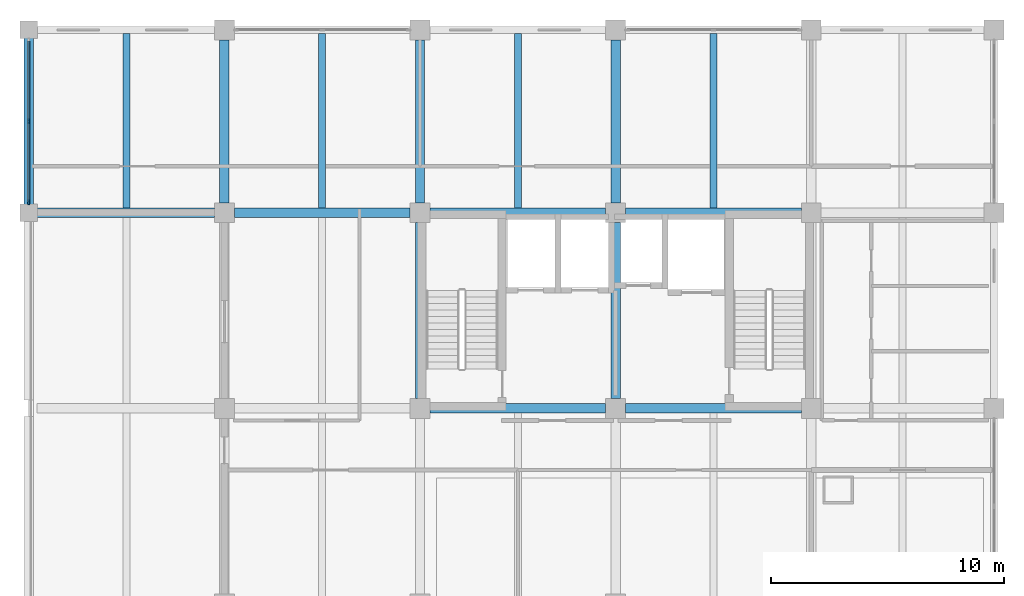
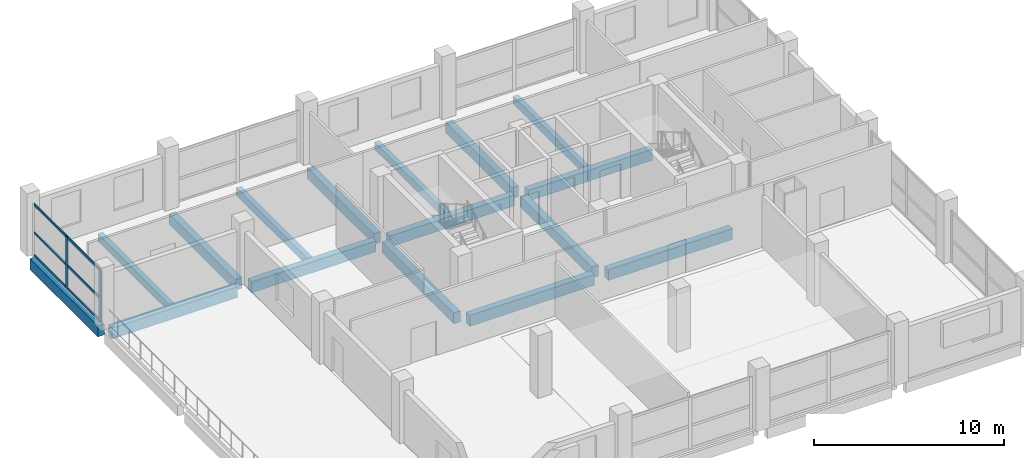
# One storey, part 3 of 10: 16 beams, 8 members, 1 element without a shape of its own.
"""IFC4 building model written with IfcOpenShell, lengths in metres."""

from ifc_helpers import new_model, si_unit, direction, frame, origin, origin_2d, place, context, subcontext, project, spatial, rectangle, extrude, material, material_profile, profile_set, type_object, element, aggregate, save


model = new_model("IFC4")

# Units and contexts
model_context = context("Model", 3, precision=1e-05, world=origin(), true_north=direction((0.0, 1.0)))
body_context = subcontext(model_context, "Body", "Model", "MODEL_VIEW")
ifc_project = project(units=[si_unit("LENGTHUNIT", "METRE"), si_unit("AREAUNIT", "SQUARE_METRE"), si_unit("VOLUMEUNIT", "CUBIC_METRE"), si_unit("PLANEANGLEUNIT", "RADIAN"), si_unit("MASSUNIT", "GRAM", prefix="KILO")], contexts=[model_context])

# Site, building, storey
site_placement = place(None, origin())
site = spatial("IfcSite", under=ifc_project, at=site_placement, CompositionType="ELEMENT")
building_placement = place(site_placement, origin())
building = spatial("IfcBuilding", under=site, at=building_placement, Name="Brinegate Botanical Conservatory", CompositionType="ELEMENT")
storey_placement = place(building_placement, frame((0.0, 0.0, 27.60009765625)))
storey = spatial("IfcBuildingStorey", under=building, at=storey_placement, Name="L07", CompositionType="ELEMENT", Elevation=27.60009765625)

# Beams
ifc_material_1 = material(Name="Concrete C40/50", Category="concrete")
ifc_material_profile_1 = material_profile(ifc_material_1, rectangle(XDim=0.39990234375, YDim=0.699951171875, at=origin_2d()), Name="RC BM 400x700")
ifc_profile_set_1 = profile_set([ifc_material_profile_1], Name="Concrete C40/50")
beam_type_1 = type_object("IfcBeamType", Name="Beam_BM-T2", PredefinedType="BEAM", material=ifc_profile_set_1)
beam_1_placement = place(storey_placement, frame((139.22509765625, 95.199951171875, -0.550048828125), z_axis=(1.0, 0.0, 0.0), x_axis=(0.0, 1.0, 0.0)))
element("IfcBeam", 1, at=beam_1_placement, inside=storey, type_object=beam_type_1, Name="Beam BM-T2 L07 M:18-19", PredefinedType="BEAM", context=body_context, shape_type="SweptSolid", body=[
    extrude(rectangle(XDim=0.39990234375, YDim=0.699951171875, at=origin_2d()), origin(), (0.0, 0.0, 1.0), 7.5498046875),
])
beam_2_placement = place(storey_placement, frame((147.625, 95.199951171875, -0.550048828125), z_axis=(1.0, 0.0, 0.0), x_axis=(0.0, 1.0, 0.0)))
element("IfcBeam", 2, at=beam_2_placement, inside=storey, type_object=beam_type_1, Name="Beam BM-T2 L07 M:19-20", PredefinedType="BEAM", context=body_context, shape_type="SweptSolid", body=[
    extrude(rectangle(XDim=0.39990234375, YDim=0.699951171875, at=origin_2d()), origin(), (0.0, 0.0, 1.0), 7.550048828125),
])
beam_3_placement = place(storey_placement, frame((122.35009765625, 103.60009765625, -0.550048828125), z_axis=(1.0, 0.0, 0.0), x_axis=(0.0, 1.0, 0.0)))
element("IfcBeam", 3, at=beam_3_placement, inside=storey, type_object=beam_type_1, Name="Beam BM-T2 L07 N:16-17", PredefinedType="BEAM", context=body_context, shape_type="SweptSolid", body=[
    extrude(rectangle(XDim=0.39990234375, YDim=0.699951171875, at=origin_2d()), origin(), (0.0, 0.0, 1.0), 7.625),
])
beam_4_placement = place(storey_placement, frame((130.824951171875, 103.60009765625, -0.550048828125), z_axis=(1.0, 0.0, 0.0), x_axis=(0.0, 1.0, 0.0)))
element("IfcBeam", 4, at=beam_4_placement, inside=storey, type_object=beam_type_1, Name="Beam BM-T2 L07 N:17-18", PredefinedType="BEAM", context=body_context, shape_type="SweptSolid", body=[
    extrude(rectangle(XDim=0.39990234375, YDim=0.699951171875, at=origin_2d()), origin(), (0.0, 0.0, 1.0), 7.550048828125),
])
beam_5_placement = place(storey_placement, frame((139.22509765625, 103.60009765625, -0.550048828125), z_axis=(1.0, 0.0, 0.0), x_axis=(0.0, 1.0, 0.0)))
element("IfcBeam", 5, at=beam_5_placement, inside=storey, type_object=beam_type_1, Name="Beam BM-T2 L07 N:18-19", PredefinedType="BEAM", context=body_context, shape_type="SweptSolid", body=[
    extrude(rectangle(XDim=0.39990234375, YDim=0.699951171875, at=origin_2d()), origin(), (0.0, 0.0, 1.0), 7.5498046875),
])
beam_6_placement = place(storey_placement, frame((147.625, 103.60009765625, -0.550048828125), z_axis=(1.0, 0.0, 0.0), x_axis=(0.0, 1.0, 0.0)))
element("IfcBeam", 6, at=beam_6_placement, inside=storey, type_object=beam_type_1, Name="Beam BM-T2 L07 N:19-20", PredefinedType="BEAM", context=body_context, shape_type="SweptSolid", body=[
    extrude(rectangle(XDim=0.39990234375, YDim=0.699951171875, at=origin_2d()), origin(), (0.0, 0.0, 1.0), 7.550048828125),
])
beam_7_placement = place(storey_placement, frame((122.0, 103.949951171875, -0.550048828125), z_axis=(0.0, 1.0, 0.0), x_axis=(-1.0, 0.0, 0.0)))
element("IfcBeam", 7, at=beam_7_placement, inside=storey, type_object=beam_type_1, Name="Beam BM-T2 L07 16:N-P", PredefinedType="BEAM", context=body_context, shape_type="SweptSolid", body=[
    extrude(rectangle(XDim=0.39990234375, YDim=0.699951171875, at=origin_2d()), origin(), (0.0, 0.0, 1.0), 7.150146484375),
])
beam_8_placement = place(storey_placement, frame((130.39990234375, 104.02490234375, -0.550048828125), z_axis=(0.0, 1.0, 0.0), x_axis=(-1.0, 0.0, 0.0)))
element("IfcBeam", 8, at=beam_8_placement, inside=storey, type_object=beam_type_1, Name="Beam BM-T2 L07 17:N-P", PredefinedType="BEAM", context=body_context, shape_type="SweptSolid", body=[
    extrude(rectangle(XDim=0.39990234375, YDim=0.699951171875, at=origin_2d()), origin(), (0.0, 0.0, 1.0), 7.0),
])
beam_9_placement = place(storey_placement, frame((138.800048828125, 95.625, -0.550048828125), z_axis=(0.0, 1.0, 0.0), x_axis=(-1.0, 0.0, 0.0)))
element("IfcBeam", 9, at=beam_9_placement, inside=storey, type_object=beam_type_1, Name="Beam BM-T2 L07 18:M-N", PredefinedType="BEAM", context=body_context, shape_type="SweptSolid", body=[
    extrude(rectangle(XDim=0.39990234375, YDim=0.699951171875, at=origin_2d()), origin(), (0.0, 0.0, 1.0), 7.550048828125),
])
beam_10_placement = place(storey_placement, frame((138.800048828125, 104.02490234375, -0.550048828125), z_axis=(0.0, 1.0, 0.0), x_axis=(-1.0, 0.0, 0.0)))
element("IfcBeam", 10, at=beam_10_placement, inside=storey, type_object=beam_type_1, Name="Beam BM-T2 L07 18:N-P", PredefinedType="BEAM", context=body_context, shape_type="SweptSolid", body=[
    extrude(rectangle(XDim=0.39990234375, YDim=0.699951171875, at=origin_2d()), origin(), (0.0, 0.0, 1.0), 7.0),
])
beam_11_placement = place(storey_placement, frame((147.199951171875, 95.625, -0.550048828125), z_axis=(0.0, 1.0, 0.0), x_axis=(-1.0, 0.0, 0.0)))
element("IfcBeam", 11, at=beam_11_placement, inside=storey, type_object=beam_type_1, Name="Beam BM-T2 L07 19:M-N", PredefinedType="BEAM", context=body_context, shape_type="SweptSolid", body=[
    extrude(rectangle(XDim=0.39990234375, YDim=0.699951171875, at=origin_2d()), origin(), (0.0, 0.0, 1.0), 7.550048828125),
])
beam_12_placement = place(storey_placement, frame((147.199951171875, 104.02490234375, -0.550048828125), z_axis=(0.0, 1.0, 0.0), x_axis=(-1.0, 0.0, 0.0)))
element("IfcBeam", 12, at=beam_12_placement, inside=storey, type_object=beam_type_1, Name="Beam BM-T2 L07 19:N-P", PredefinedType="BEAM", context=body_context, shape_type="SweptSolid", body=[
    extrude(rectangle(XDim=0.39990234375, YDim=0.699951171875, at=origin_2d()), origin(), (0.0, 0.0, 1.0), 7.0),
])
ifc_material_profile_2 = material_profile(ifc_material_1, rectangle(XDim=0.300048828125, YDim=0.5, at=origin_2d()), Name="RC JST 300x500")
ifc_profile_set_2 = profile_set([ifc_material_profile_2], Name="Concrete C40/50")
beam_type_2 = type_object("IfcBeamType", Name="Beam_JS-C2", PredefinedType="JOIST", material=ifc_profile_set_2)
for number, where, z_axis, x_axis, name in (
    (13, (126.199951171875, 103.800048828125, -0.4501953125), (0.0, 1.0, 0.0), (-1.0, 0.0, 0.0), "Floor joist JS-C2 L07 bay 16.13"),
    (14, (134.60009765625, 103.800048828125, -0.4501953125), (0.0, 1.0, 0.0), (-1.0, 0.0, 0.0), "Floor joist JS-C2 L07 bay 17.13"),
    (15, (143.0, 103.800048828125, -0.4501953125), (0.0, 1.0, 0.0), (-1.0, 0.0, 0.0), "Floor joist JS-C2 L07 bay 18.13"),
    (16, (151.39990234375, 103.800048828125, -0.4501953125), (0.0, 1.0, 0.0), (-1.0, 0.0, 0.0), "Floor joist JS-C2 L07 bay 19.13"),
):
    element("IfcBeam", number, at=place(storey_placement, frame(where, z_axis=z_axis, x_axis=x_axis)), inside=storey, type_object=beam_type_2, Name=name, PredefinedType="JOIST", context=body_context, shape_type="SweptSolid", body=[
        extrude(rectangle(XDim=0.300048828125, YDim=0.5, at=origin_2d()), origin(), (0.0, 0.0, 1.0), 7.5),
    ])

# Curtain wall, members
ifc_material_2 = material(Name="Thermally broken anodised aluminium AW-6063-T6", Category="aluminium")
curtain_wall_type = type_object("IfcCurtainWallType", Name="CW_CW-TW1", PredefinedType="USERDEFINED", material=ifc_material_2)
curtain_wall_placement = place(storey_placement, origin())
curtain_wall = element("IfcCurtainWall", 17, at=curtain_wall_placement, inside=storey, type_object=curtain_wall_type, Name="Tower north-west curtain wall L07", ObjectType="FACTORY CURTAIN WALL", PredefinedType="USERDEFINED")
ifc_material_profile_3 = material_profile(ifc_material_2, rectangle(XDim=0.070068359375, YDim=0.199951171875, at=origin_2d()), Name="ALUM MULLION 70x200")
ifc_profile_set_3 = profile_set([ifc_material_profile_3], Name="Thermally broken anodised aluminium AW-6063-T6")
member_type_1 = type_object("IfcMemberType", Name="Member_ML-03", PredefinedType="MULLION", material=ifc_profile_set_3)
member_1_placement = place(storey_placement, frame((122.0, 104.050048828125, 0.0), z_axis=(0.0, 0.0, 1.0), x_axis=(-1.0, 0.0, 0.0)))
member_1 = element("IfcMember", 18, at=member_1_placement, type_object=member_type_1, Name="CW-TW1 mullion 1", PredefinedType="MULLION", context=body_context, shape_type="SweptSolid", body=[
    extrude(rectangle(XDim=0.070068359375, YDim=0.199951171875, at=origin_2d()), origin(), (0.0, 0.0, 1.0), 3.31982421875),
])
member_2_placement = place(storey_placement, frame((122.0, 107.52490234375, 0.0), z_axis=(0.0, 0.0, 1.0), x_axis=(-1.0, 0.0, 0.0)))
member_2 = element("IfcMember", 19, at=member_2_placement, type_object=member_type_1, Name="CW-TW1 mullion 2", PredefinedType="MULLION", context=body_context, shape_type="SweptSolid", body=[
    extrude(rectangle(XDim=0.070068359375, YDim=0.199951171875, at=origin_2d()), origin(), (0.0, 0.0, 1.0), 3.31982421875),
])
ifc_material_profile_4 = material_profile(ifc_material_2, rectangle(XDim=0.070068359375, YDim=0.14990234375, at=origin_2d()), Name="ALUM TRANSOM 70x150")
ifc_profile_set_4 = profile_set([ifc_material_profile_4], Name="Thermally broken anodised aluminium AW-6063-T6")
member_type_2 = type_object("IfcMemberType", Name="Member_TR-03", PredefinedType="USERDEFINED", material=ifc_profile_set_4)
member_3_placement = place(storey_placement, frame((122.0, 104.0849609375, 0.034912109375), z_axis=(0.0, 1.0, 0.0), x_axis=(-1.0, 0.0, 0.0)))
member_3 = element("IfcMember", 20, at=member_3_placement, type_object=member_type_2, Name="CW-TW1 transom 1.1", ObjectType="TRANSOM", PredefinedType="USERDEFINED", context=body_context, shape_type="SweptSolid", body=[
    extrude(rectangle(XDim=0.070068359375, YDim=0.14990234375, at=origin_2d()), origin(), (0.0, 0.0, 1.0), 3.405029296875),
])
member_4_placement = place(storey_placement, frame((122.0, 104.0849609375, 1.493896484375), z_axis=(0.0, 1.0, 0.0), x_axis=(-1.0, 0.0, 0.0)))
member_4 = element("IfcMember", 21, at=member_4_placement, type_object=member_type_2, Name="CW-TW1 transom 1.2", ObjectType="TRANSOM", PredefinedType="USERDEFINED", context=body_context, shape_type="SweptSolid", body=[
    extrude(rectangle(XDim=0.070068359375, YDim=0.14990234375, at=origin_2d()), origin(), (0.0, 0.0, 1.0), 3.405029296875),
])
member_5_placement = place(storey_placement, frame((122.0, 104.0849609375, 3.284912109375), z_axis=(0.0, 1.0, 0.0), x_axis=(-1.0, 0.0, 0.0)))
member_5 = element("IfcMember", 22, at=member_5_placement, type_object=member_type_2, Name="CW-TW1 transom 1.3", ObjectType="TRANSOM", PredefinedType="USERDEFINED", context=body_context, shape_type="SweptSolid", body=[
    extrude(rectangle(XDim=0.070068359375, YDim=0.14990234375, at=origin_2d()), origin(), (0.0, 0.0, 1.0), 3.405029296875),
])
member_6_placement = place(storey_placement, frame((122.0, 107.56005859375, 0.034912109375), z_axis=(0.0, 1.0, 0.0), x_axis=(-1.0, 0.0, 0.0)))
member_6 = element("IfcMember", 23, at=member_6_placement, type_object=member_type_2, Name="CW-TW1 transom 2.1", ObjectType="TRANSOM", PredefinedType="USERDEFINED", context=body_context, shape_type="SweptSolid", body=[
    extrude(rectangle(XDim=0.070068359375, YDim=0.14990234375, at=origin_2d()), origin(), (0.0, 0.0, 1.0), 3.405029296875),
])
member_7_placement = place(storey_placement, frame((122.0, 107.56005859375, 1.493896484375), z_axis=(0.0, 1.0, 0.0), x_axis=(-1.0, 0.0, 0.0)))
member_7 = element("IfcMember", 24, at=member_7_placement, type_object=member_type_2, Name="CW-TW1 transom 2.2", ObjectType="TRANSOM", PredefinedType="USERDEFINED", context=body_context, shape_type="SweptSolid", body=[
    extrude(rectangle(XDim=0.070068359375, YDim=0.14990234375, at=origin_2d()), origin(), (0.0, 0.0, 1.0), 3.405029296875),
])
member_8_placement = place(storey_placement, frame((122.0, 107.56005859375, 3.284912109375), z_axis=(0.0, 1.0, 0.0), x_axis=(-1.0, 0.0, 0.0)))
member_8 = element("IfcMember", 25, at=member_8_placement, type_object=member_type_2, Name="CW-TW1 transom 2.3", ObjectType="TRANSOM", PredefinedType="USERDEFINED", context=body_context, shape_type="SweptSolid", body=[
    extrude(rectangle(XDim=0.070068359375, YDim=0.14990234375, at=origin_2d()), origin(), (0.0, 0.0, 1.0), 3.405029296875),
])
aggregate(curtain_wall, [member_1, member_2, member_3, member_4, member_5, member_6, member_7, member_8])

save(model, "model.ifc")
